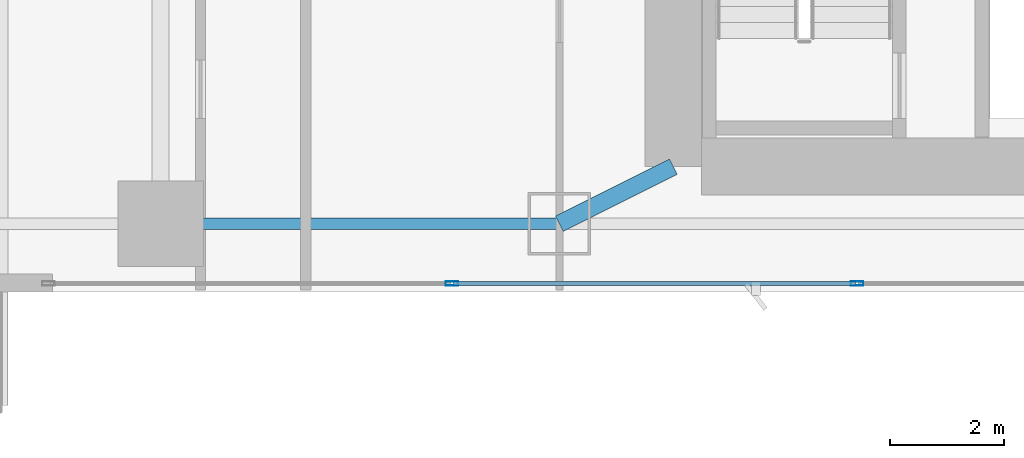
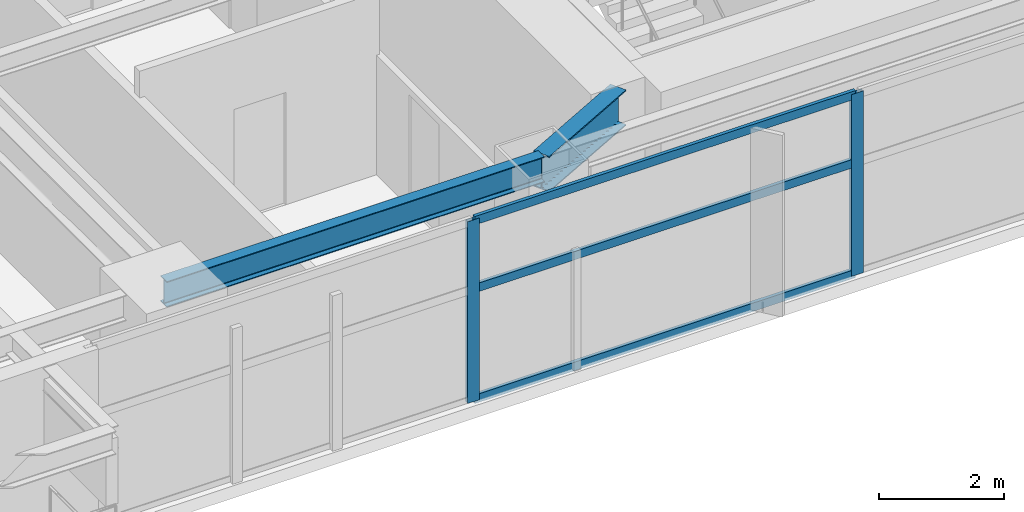
# One storey, part 6 of 30: 5 members, 2 beams, 1 element without a shape of its own.
"""IFC4 building model written with IfcOpenShell, lengths in metres."""

from ifc_helpers import new_model, si_unit, direction, frame, origin, origin_2d, place, context, subcontext, project, spatial, hollow_rectangle, i_section, extrude, material, layer, layer_set, material_profile, profile_set, type_object, element, aggregate, save


model = new_model("IFC4")

# Units and contexts
model_context = context("Model", 3, precision=1e-05, world=origin(), true_north=direction((0.0, 1.0)))
body_context = subcontext(model_context, "Body", "Model", "MODEL_VIEW")
ifc_project = project(units=[si_unit("LENGTHUNIT", "METRE"), si_unit("AREAUNIT", "SQUARE_METRE"), si_unit("VOLUMEUNIT", "CUBIC_METRE"), si_unit("PLANEANGLEUNIT", "RADIAN"), si_unit("MASSUNIT", "GRAM", prefix="KILO")], contexts=[model_context])

# Site, building, storey
site_placement = place(None, origin())
site = spatial("IfcSite", under=ifc_project, at=site_placement, CompositionType="ELEMENT")
building_placement = place(site_placement, origin())
building = spatial("IfcBuilding", under=site, at=building_placement, Name="Calvorn Quay Hotel", CompositionType="ELEMENT")
storey_placement = place(building_placement, frame((0.0, 0.0, 50.800048828125)))
storey = spatial("IfcBuildingStorey", under=building, at=storey_placement, Name="L11", CompositionType="ELEMENT", Elevation=50.800048828125)

# Beams
ifc_material_1 = material(Name="Steel Q390GJC", Category="steel")
ifc_material_profile_1 = material_profile(ifc_material_1, i_section(OverallWidth=0.300048828125, OverallDepth=0.699951171875, WebThickness=0.012939453125, FlangeThickness=0.02392578125, FilletRadius=0.02392578125, at=origin_2d()), Name="HN700x300x13x24")
ifc_profile_set_1 = profile_set([ifc_material_profile_1], Name="Steel Q390GJC")
beam_type_1 = type_object("IfcBeamType", Name="BM-GIRD-MAIN", PredefinedType="BEAM", material=ifc_profile_set_1)
beam_1_placement = place(storey_placement, frame((19.60009765625, 3.60009765625, 3.18994140625), z_axis=(0.894427191, 0.4472135955, 0.0), x_axis=(-0.4472135955, 0.894427191, 0.0)))
element("IfcBeam", 1, at=beam_1_placement, inside=storey, type_object=beam_type_1, Name="Beam BG-L11-S2", PredefinedType="BEAM", context=body_context, shape_type="SweptSolid", body=[
    extrude(i_section(OverallWidth=0.300048828125, OverallDepth=0.699951171875, WebThickness=0.012939453125, FlangeThickness=0.02392578125, FilletRadius=0.02392578125, at=origin_2d()), origin(), (0.0, 0.0, 1.0), 2.236083984375),
])
ifc_material_2 = material(Name="Steel Q355B", Category="steel")
ifc_material_profile_2 = material_profile(ifc_material_2, i_section(OverallWidth=0.199951171875, OverallDepth=0.5, WebThickness=0.010009765625, FlangeThickness=0.01611328125, FilletRadius=0.01611328125, at=origin_2d()), Name="HN500x200x10x16")
ifc_profile_set_2 = profile_set([ifc_material_profile_2], Name="Steel Q355B")
beam_type_2 = type_object("IfcBeamType", Name="BM-SPANDREL-Z1", PredefinedType="SPANDREL", material=ifc_profile_set_2)
beam_2_placement = place(storey_placement, frame((12.60009765625, 3.60009765625, 3.2900390625), z_axis=(1.0, 0.0, 0.0), x_axis=(0.0, 1.0, 0.0)))
element("IfcBeam", 2, at=beam_2_placement, inside=storey, type_object=beam_type_2, Name="Beam BSP-L11-S2", PredefinedType="SPANDREL", context=body_context, shape_type="SweptSolid", body=[
    extrude(i_section(OverallWidth=0.199951171875, OverallDepth=0.5, WebThickness=0.010009765625, FlangeThickness=0.01611328125, FilletRadius=0.01611328125, at=origin_2d()), origin(), (0.0, 0.0, 1.0), 7.0),
])

# Curtain wall, members
ifc_material_3 = material(Name="Pale Anodised Aluminium and Low-E Glass", Category="aluminium")
ifc_layer = layer(ifc_material_3, 0.219970703125)
ifc_layer_set = layer_set([ifc_layer], Name="CW-SYS-Z1")
curtain_wall_type = type_object("IfcCurtainWallType", Name="CW-SYS-Z1", PredefinedType="NOTDEFINED", material=ifc_layer_set)
curtain_wall_placement = place(storey_placement, origin())
curtain_wall = element("IfcCurtainWall", 3, at=curtain_wall_placement, inside=storey, type_object=curtain_wall_type, Name="Tower South Waterfront Curtain Wall (L11)", PredefinedType="NOTDEFINED")
ifc_material_4 = material(Name="Pale Anodised Aluminium 6063-T6", Category="aluminium")
ifc_material_profile_3 = material_profile(ifc_material_4, hollow_rectangle(XDim=0.074951171875, YDim=0.219970703125, WallThickness=0.00439453125, at=origin_2d()), Name="ALU-M220x75x4.5")
ifc_profile_set_3 = profile_set([ifc_material_profile_3], Name="Pale Anodised Aluminium 6063-T6")
member_type_1 = type_object("IfcMemberType", Name="CW-SYS-Z1-MUL", PredefinedType="MULLION", material=ifc_profile_set_3)
member_1_placement = place(storey_placement, frame((17.71435546875, 2.550048828125, 0.0), z_axis=(0.0, 0.0, 1.0), x_axis=(0.0, 1.0, 0.0)))
member_1 = element("IfcMember", 4, at=member_1_placement, type_object=member_type_1, Name="CW-L11-S mullion 2", PredefinedType="MULLION", context=body_context, shape_type="SweptSolid", body=[
    extrude(hollow_rectangle(XDim=0.074951171875, YDim=0.219970703125, WallThickness=0.00439453125, at=origin_2d()), origin(), (0.0, 0.0, 1.0), 3.56005859375),
])
member_2_placement = place(storey_placement, frame((24.82861328125, 2.550048828125, 0.0), z_axis=(0.0, 0.0, 1.0), x_axis=(0.0, 1.0, 0.0)))
member_2 = element("IfcMember", 5, at=member_2_placement, type_object=member_type_1, Name="CW-L11-S mullion 3", PredefinedType="MULLION", context=body_context, shape_type="SweptSolid", body=[
    extrude(hollow_rectangle(XDim=0.074951171875, YDim=0.219970703125, WallThickness=0.00439453125, at=origin_2d()), origin(), (0.0, 0.0, 1.0), 3.56005859375),
])
ifc_material_5 = material(Name="Pale Anodised Aluminium 6063-T6", Category="aluminium")
ifc_material_profile_4 = material_profile(ifc_material_5, hollow_rectangle(XDim=0.06494140625, YDim=0.1650390625, WallThickness=0.00341796875, at=origin_2d()), Name="ALU-T165x65x3.5")
ifc_profile_set_4 = profile_set([ifc_material_profile_4], Name="Pale Anodised Aluminium 6063-T6")
member_type_2 = type_object("IfcMemberType", Name="CW-SYS-Z1-TRN", PredefinedType="USERDEFINED", material=ifc_profile_set_4)
member_3_placement = place(storey_placement, frame((17.744384765625, 2.550048828125, 0.030029296875), z_axis=(1.0, 0.0, 0.0), x_axis=(0.0, 1.0, 0.0)))
member_3 = element("IfcMember", 6, at=member_3_placement, type_object=member_type_2, Name="CW-L11-S transom 2.1", ObjectType="TRANSOM", PredefinedType="USERDEFINED", context=body_context, shape_type="SweptSolid", body=[
    extrude(hollow_rectangle(XDim=0.06494140625, YDim=0.1650390625, WallThickness=0.00341796875, at=origin_2d()), origin(), (0.0, 0.0, 1.0), 7.05419921875),
])
member_4_placement = place(storey_placement, frame((17.744384765625, 2.550048828125, 2.199951171875), z_axis=(1.0, 0.0, 0.0), x_axis=(0.0, 1.0, 0.0)))
member_4 = element("IfcMember", 7, at=member_4_placement, type_object=member_type_2, Name="CW-L11-S transom 2.2", ObjectType="TRANSOM", PredefinedType="USERDEFINED", context=body_context, shape_type="SweptSolid", body=[
    extrude(hollow_rectangle(XDim=0.06494140625, YDim=0.1650390625, WallThickness=0.00341796875, at=origin_2d()), origin(), (0.0, 0.0, 1.0), 7.05419921875),
])
member_5_placement = place(storey_placement, frame((17.744384765625, 2.550048828125, 3.530029296875), z_axis=(1.0, 0.0, 0.0), x_axis=(0.0, 1.0, 0.0)))
member_5 = element("IfcMember", 8, at=member_5_placement, type_object=member_type_2, Name="CW-L11-S transom 2.3", ObjectType="TRANSOM", PredefinedType="USERDEFINED", context=body_context, shape_type="SweptSolid", body=[
    extrude(hollow_rectangle(XDim=0.06494140625, YDim=0.1650390625, WallThickness=0.00341796875, at=origin_2d()), origin(), (0.0, 0.0, 1.0), 7.05419921875),
])
aggregate(curtain_wall, [member_1, member_2, member_3, member_4, member_5])

save(model, "model.ifc")
